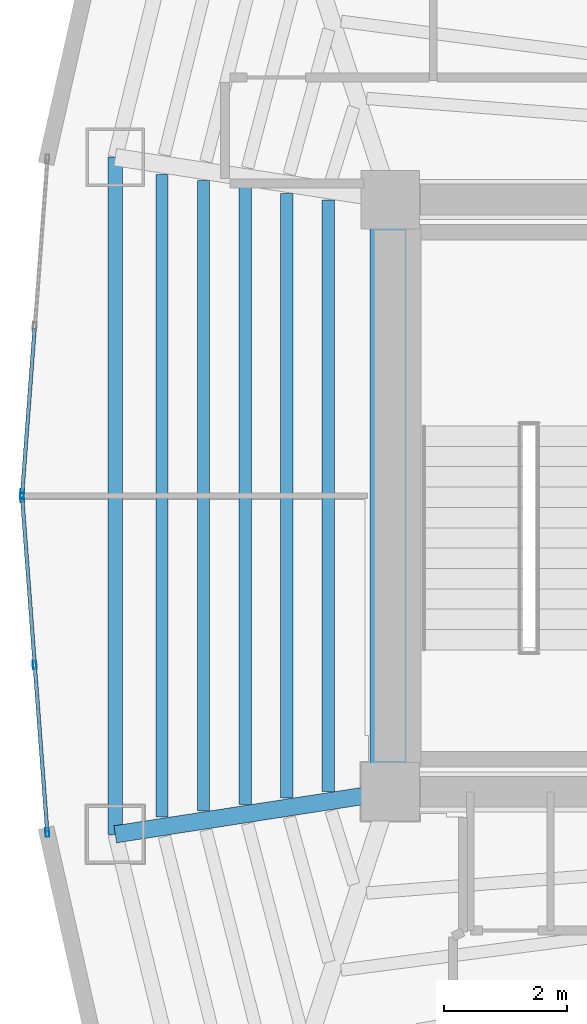
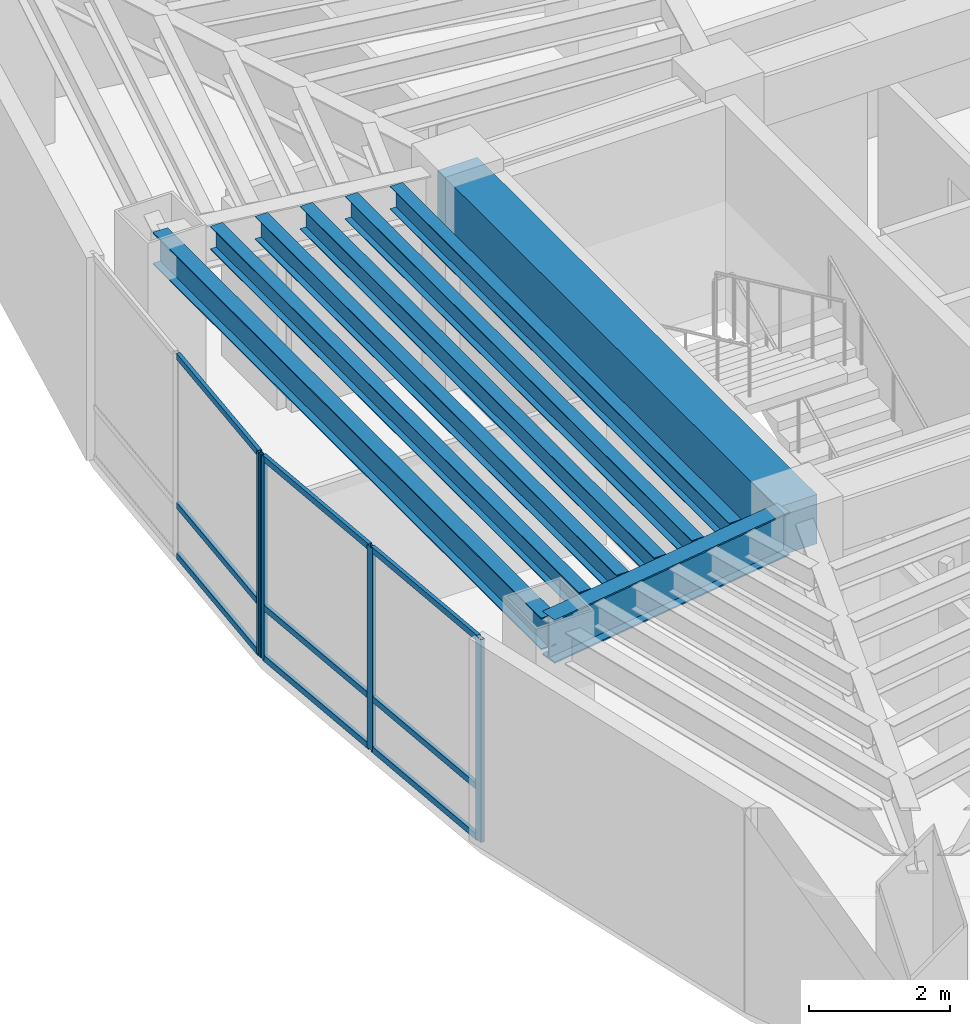
# One storey, part 3 of 15: 13 members, 8 beams, 2 elements without a shape of their own.
"""IFC4 building model written with IfcOpenShell, lengths in metres."""

import ifcopenshell
import ifcopenshell.guid

model = None  # the IFC model being written
_history = None  # IfcOwnerHistory: only IFC2X3 demands one
_inside = {}  # id of a spatial element -> (the spatial element, [elements in it])
_under = {}  # id of a project, library or spatial element -> (it, [spatial elements below it])
_declared = {}  # id of a project -> (the project, [libraries it declares])
_typed = {}  # id of a type object -> (the type object, [elements of that type])
_made_of = {}  # id of a material, layer set ... -> (it, [elements and type objects made of it])


def new_model(schema):
    """Start an empty IFC model of exactly this schema.

    Asked for "IFC4X3", IfcOpenShell would pick the latest addendum, in which some entities
    have other attributes; the version numbers below select the first issue.
    IFC2X3 requires an IfcOwnerHistory on every rooted entity: one is made here for all.
    """
    global model, _history
    if schema == "IFC4X3":
        model = ifcopenshell.file(schema_version=(4, 3, 0, 0))
    else:
        model = ifcopenshell.file(schema=schema)
    _inside.clear()
    _under.clear()
    _declared.clear()
    _typed.clear()
    _made_of.clear()
    _history = None
    if model.schema == "IFC2X3":
        org = make("IfcOrganization", Name="unknown")
        user = make(
            "IfcPersonAndOrganization",
            ThePerson=make("IfcPerson", FamilyName="unknown"),
            TheOrganization=org,
        )
        app = make(
            "IfcApplication",
            ApplicationDeveloper=org,
            Version="unknown",
            ApplicationFullName="unknown",
            ApplicationIdentifier="unknown",
        )
        _history = make(
            "IfcOwnerHistory",
            OwningUser=user,
            OwningApplication=app,
            ChangeAction="ADDED",
            CreationDate=0,
        )
    return model


def make(cls, **values):
    """One entity of the class cls with the attributes given. An attribute that is None is left unset."""
    return model.create_entity(
        cls, **{name: value for name, value in values.items() if value is not None}
    )


def rooted(cls, **values):
    """An entity with a GlobalId (a new one), such as an element, a storey or a relation."""
    return make(cls, GlobalId=ifcopenshell.guid.new(), OwnerHistory=_history, **values)


def si_unit(unit_type, name, prefix=None):
    """IfcSIUnit, for example si_unit("LENGTHUNIT", "METRE", prefix="MILLI")."""
    return make("IfcSIUnit", UnitType=unit_type, Prefix=prefix, Name=name)


def assignment(units):
    """IfcUnitAssignment: the units of a project."""
    return None if units is None else make("IfcUnitAssignment", Units=units)


def point(xyz):
    """IfcCartesianPoint."""
    return None if xyz is None else make("IfcCartesianPoint", Coordinates=xyz)


def direction(xyz):
    """IfcDirection."""
    return None if xyz is None else make("IfcDirection", DirectionRatios=xyz)


def frame(location, z_axis=None, x_axis=None):
    """IfcAxis2Placement3D, a coordinate frame: its origin and axes. An axis left out is left unset."""
    return make(
        "IfcAxis2Placement3D",
        Location=point(location),
        Axis=direction(z_axis),
        RefDirection=direction(x_axis),
    )


def frame_2d(location, x_axis=None):
    """IfcAxis2Placement2D, a coordinate frame in the plane: its origin and x axis."""
    return make(
        "IfcAxis2Placement2D", Location=point(location), RefDirection=direction(x_axis)
    )


def origin():
    """The frame at (0, 0, 0) with its axes left unset."""
    return frame((0.0, 0.0, 0.0))


def origin_2d():
    """The frame at (0, 0) in the plane with its x axis left unset."""
    return frame_2d((0.0, 0.0))


def place(relative_to, where):
    """IfcLocalPlacement: puts the frame where relative to a parent placement (None: the world)."""
    return make(
        "IfcLocalPlacement", PlacementRelTo=relative_to, RelativePlacement=where
    )


def context(
    kind, dimensions, precision=None, world=None, true_north=None, identifier=None
):
    """IfcGeometricRepresentationContext, for example the 3D "Model" context."""
    return make(
        "IfcGeometricRepresentationContext",
        ContextIdentifier=identifier,
        ContextType=kind,
        CoordinateSpaceDimension=dimensions,
        Precision=precision,
        WorldCoordinateSystem=world,
        TrueNorth=true_north,
    )


def subcontext(parent, identifier, kind, view, scale=None):
    """IfcGeometricRepresentationSubContext, for example "Body" below "Model"."""
    return make(
        "IfcGeometricRepresentationSubContext",
        ContextIdentifier=identifier,
        ContextType=kind,
        ParentContext=parent,
        TargetScale=scale,
        TargetView=view,
    )


def project(units=None, contexts=None):
    """IfcProject with its units and contexts."""
    return rooted(
        "IfcProject",
        Name="project",
        RepresentationContexts=contexts,
        UnitsInContext=assignment(units),
    )


def spatial(cls, under=None, at=None, **own):
    """A site, building, storey or space (cls), placed at a placement, below another one or the project."""
    s = rooted(cls, ObjectPlacement=at, **own)
    if under is not None:
        _under.setdefault(under.id(), (under, []))[1].append(s)
    return s


def profile(cls, at=None, kind="AREA", **sizes):
    """A parametric profile (cls). Its sizes go by their IFC names, for example OverallWidth=200.0."""
    return make(cls, ProfileType=kind, Position=at, **sizes)


def rectangle(**sizes):
    """IfcRectangleProfileDef."""
    return profile("IfcRectangleProfileDef", **sizes)


def hollow_rectangle(**sizes):
    """IfcRectangleHollowProfileDef."""
    return profile("IfcRectangleHollowProfileDef", **sizes)


def i_section(**sizes):
    """IfcIShapeProfileDef."""
    return profile("IfcIShapeProfileDef", **sizes)


def extrude(swept, where, along, depth):
    """IfcExtrudedAreaSolid: the profile swept, set in the frame where, extruded along a direction by depth."""
    return make(
        "IfcExtrudedAreaSolid",
        SweptArea=swept,
        Position=where,
        ExtrudedDirection=direction(along),
        Depth=depth,
    )


def shape(context_of_items, identifier, shape_type, items):
    """IfcShapeRepresentation: the items that make up one representation, for example the "Body"."""
    return make(
        "IfcShapeRepresentation",
        ContextOfItems=context_of_items,
        RepresentationIdentifier=identifier,
        RepresentationType=shape_type,
        Items=items,
    )


def material(Name=None, Category=None):
    """IfcMaterial."""
    return make("IfcMaterial", Name=Name, Category=Category)


def layer(
    of_material, thickness, ventilated=None, Name=None, Category=None, Priority=None
):
    """IfcMaterialLayer: one layer of a wall or slab, of a material (None: an air gap)."""
    return make(
        "IfcMaterialLayer",
        Material=of_material,
        LayerThickness=thickness,
        IsVentilated=ventilated,
        Name=Name,
        Category=Category,
        Priority=Priority,
    )


def layer_set(layers, Name=None):
    """IfcMaterialLayerSet."""
    return make("IfcMaterialLayerSet", MaterialLayers=layers, LayerSetName=Name)


def material_profile(
    of_material, cross_section, Name=None, Category=None, Priority=None
):
    """IfcMaterialProfile: a cross section and its material."""
    return make(
        "IfcMaterialProfile",
        Name=Name,
        Material=of_material,
        Profile=cross_section,
        Priority=Priority,
        Category=Category,
    )


def profile_set(profiles, Name=None, composite=None):
    """IfcMaterialProfileSet."""
    return make(
        "IfcMaterialProfileSet",
        Name=Name,
        MaterialProfiles=profiles,
        CompositeProfile=composite,
    )


def made_of(thing, what):
    """Note that an element or type object is made of a material, layer set ...; save() writes the relation."""
    if what is not None:
        _made_of.setdefault(what.id(), (what, []))[1].append(thing)
    return thing


def type_object(cls, material=None, **own):
    """A type object (cls), such as IfcWallType, which elements share."""
    return made_of(rooted(cls, **own), material)


def element(
    cls,
    number,
    at=None,
    inside=None,
    cuts=None,
    type_object=None,
    material=None,
    context=None,
    identifier="Body",
    shape_type=None,
    held_by="IfcProductDefinitionShape",
    body=None,
    shapes=None,
    **own,
):
    """One element of the class cls, such as IfcWall. Its Tag is "e" and its number.

    at: its placement. inside: the storey or other place that contains it. cuts: it is an
    opening in that element (IfcRelVoidsElement). A single representation is given by context,
    identifier, shape_type and body (its items); several are given by shapes. held_by: the class
    of the entity that holds the representations. save() writes the other relations.
    """
    e = rooted(cls, Tag="e%d" % number, ObjectPlacement=at, **own)
    if body is not None:
        shapes = [shape(context, identifier, shape_type, body)]
    if shapes is not None:
        e.Representation = make(held_by, Representations=shapes)
    if inside is not None:
        _inside.setdefault(inside.id(), (inside, []))[1].append(e)
    if cuts is not None:
        rooted(
            "IfcRelVoidsElement", RelatingBuildingElement=cuts, RelatedOpeningElement=e
        )
    if type_object is not None:
        _typed.setdefault(type_object.id(), (type_object, []))[1].append(e)
    return made_of(e, material)


def aggregate(whole, parts):
    """IfcRelAggregates: a whole, such as a stair, and the parts it consists of."""
    return rooted("IfcRelAggregates", RelatingObject=whole, RelatedObjects=parts)


def save(model, path):
    """Write the relations noted so far, then the file.

    IfcRelAggregates (storeys below a building ...), IfcRelContainedInSpatialStructure (elements
    in a storey), IfcRelDefinesByType, IfcRelAssociatesMaterial and IfcRelDeclares: one each for
    every whole, place, type object, material and project.
    """
    for whole, parts in _under.values():
        aggregate(whole, parts)
    for where, things in _inside.values():
        rooted(
            "IfcRelContainedInSpatialStructure",
            RelatedElements=things,
            RelatingStructure=where,
        )
    for kind, things in _typed.values():
        rooted("IfcRelDefinesByType", RelatedObjects=things, RelatingType=kind)
    for what, things in _made_of.values():
        rooted("IfcRelAssociatesMaterial", RelatedObjects=things, RelatingMaterial=what)
    for by, libraries in _declared.values():
        rooted("IfcRelDeclares", RelatingContext=by, RelatedDefinitions=libraries)
    model.write(path)


model = new_model("IFC4")

# Units and contexts
model_context = context("Model", 3, precision=1e-05, world=origin(), true_north=direction((0.0, 1.0)))
body_context = subcontext(model_context, "Body", "Model", "MODEL_VIEW")
ifc_project = project(units=[si_unit("LENGTHUNIT", "METRE"), si_unit("AREAUNIT", "SQUARE_METRE"), si_unit("VOLUMEUNIT", "CUBIC_METRE"), si_unit("PLANEANGLEUNIT", "RADIAN"), si_unit("MASSUNIT", "GRAM", prefix="KILO")], contexts=[model_context])

# Site, building, storey
site_placement = place(None, origin())
site = spatial("IfcSite", under=ifc_project, at=site_placement, CompositionType="ELEMENT")
building_placement = place(site_placement, origin())
building = spatial("IfcBuilding", under=site, at=building_placement, Name="Menara Vayukalpa", CompositionType="ELEMENT")
storey_placement = place(building_placement, frame((0.0, 0.0, 187.800048828125)))
storey = spatial("IfcBuildingStorey", under=building, at=storey_placement, Name="L47", CompositionType="ELEMENT", Elevation=187.800048828125)

# Beams
ifc_material_1 = material(Name="Concrete C60/75", Category="concrete")
ifc_material_profile_1 = material_profile(ifc_material_1, rectangle(XDim=0.64990234375, YDim=0.85009765625, at=origin_2d()), Name="RC 650x850")
ifc_profile_set_1 = profile_set([ifc_material_profile_1], Name="Concrete C60/75")
beam_type_1 = type_object("IfcBeamType", Name="BM-CB1", PredefinedType="BEAM", material=ifc_profile_set_1)
beam_1_placement = place(storey_placement, frame((17.800048828125, 17.199951171875, 3.074951171875), z_axis=(0.0, 1.0, 0.0), x_axis=(-1.0, 0.0, 0.0)))
element("IfcBeam", 1, at=beam_1_placement, inside=storey, type_object=beam_type_1, Name="L47 Core Tie Beam CBR7", PredefinedType="BEAM", context=body_context, shape_type="SweptSolid", body=[
    extrude(rectangle(XDim=0.64990234375, YDim=0.85009765625, at=origin_2d()), origin(), (0.0, 0.0, 1.0), 9.60009765625),
])
ifc_material_2 = material(Name="Steel S355", Category="steel")
ifc_material_profile_2 = material_profile(ifc_material_2, i_section(OverallWidth=0.280029296875, OverallDepth=0.75, WebThickness=0.013916015625, FlangeThickness=0.02490234375, at=origin_2d()), Name="WF 750x280x14x25")
ifc_profile_set_2 = profile_set([ifc_material_profile_2], Name="Steel S355")
beam_type_2 = type_object("IfcBeamType", Name="BM-PG4", PredefinedType="BEAM", material=ifc_profile_set_2)
beam_2_placement = place(storey_placement, frame((17.552978515625, 17.161865234375, 3.125), z_axis=(-0.988244781219, -0.152879862617, 0.0), x_axis=(0.152879862617, -0.988244781219, 0.0)))
element("IfcBeam", 2, at=beam_2_placement, inside=storey, type_object=beam_type_2, Name="L47 Primary Radial Girder RG06", PredefinedType="BEAM", context=body_context, shape_type="SweptSolid", body=[
    extrude(i_section(OverallWidth=0.280029296875, OverallDepth=0.75, WebThickness=0.013916015625, FlangeThickness=0.02490234375, at=origin_2d()), origin(), (0.0, 0.0, 1.0), 4.259033203125),
])
ifc_material_3 = material(Name="Steel S355", Category="steel")
ifc_material_profile_3 = material_profile(ifc_material_3, i_section(OverallWidth=0.199951171875, OverallDepth=0.39990234375, WebThickness=0.008056640625, FlangeThickness=0.012939453125, at=origin_2d()), Name="WF 400x200x8x13")
ifc_profile_set_3 = profile_set([ifc_material_profile_3], Name="Steel S355")
beam_type_3 = type_object("IfcBeamType", Name="BM-SJ2", PredefinedType="JOIST", material=ifc_profile_set_3)
beam_3_placement = place(storey_placement, frame((16.79541015625, 26.79541015625, 3.300048828125), z_axis=(0.0, -1.0, 0.0), x_axis=(1.0, 0.0, 0.0)))
element("IfcBeam", 3, at=beam_3_placement, inside=storey, type_object=beam_type_3, Name="L47 Secondary Floor Joist SJ05-1", PredefinedType="JOIST", context=body_context, shape_type="SweptSolid", body=[
    extrude(i_section(OverallWidth=0.199951171875, OverallDepth=0.39990234375, WebThickness=0.008056640625, FlangeThickness=0.012939453125, at=origin_2d()), origin(), (0.0, 0.0, 1.0), 9.5908203125),
])
beam_4_placement = place(storey_placement, frame((16.121826171875, 26.8994140625, 3.300048828125), z_axis=(0.0, -1.0, 0.0), x_axis=(1.0, 0.0, 0.0)))
element("IfcBeam", 4, at=beam_4_placement, inside=storey, type_object=beam_type_3, Name="L47 Secondary Floor Joist SJ05-2", PredefinedType="JOIST", context=body_context, shape_type="SweptSolid", body=[
    extrude(i_section(OverallWidth=0.199951171875, OverallDepth=0.39990234375, WebThickness=0.008056640625, FlangeThickness=0.012939453125, at=origin_2d()), origin(), (0.0, 0.0, 1.0), 9.798828125),
])
beam_5_placement = place(storey_placement, frame((15.448486328125, 27.003662109375, 3.300048828125), z_axis=(0.0, -1.0, 0.0), x_axis=(1.0, 0.0, 0.0)))
element("IfcBeam", 5, at=beam_5_placement, inside=storey, type_object=beam_type_3, Name="L47 Secondary Floor Joist SJ05-3", PredefinedType="JOIST", context=body_context, shape_type="SweptSolid", body=[
    extrude(i_section(OverallWidth=0.199951171875, OverallDepth=0.39990234375, WebThickness=0.008056640625, FlangeThickness=0.012939453125, at=origin_2d()), origin(), (0.0, 0.0, 1.0), 10.00732421875),
])
beam_6_placement = place(storey_placement, frame((14.77490234375, 27.10791015625, 3.300048828125), z_axis=(0.0, -1.0, 0.0), x_axis=(1.0, 0.0, 0.0)))
element("IfcBeam", 6, at=beam_6_placement, inside=storey, type_object=beam_type_3, Name="L47 Secondary Floor Joist SJ05-4", PredefinedType="JOIST", context=body_context, shape_type="SweptSolid", body=[
    extrude(i_section(OverallWidth=0.199951171875, OverallDepth=0.39990234375, WebThickness=0.008056640625, FlangeThickness=0.012939453125, at=origin_2d()), origin(), (0.0, 0.0, 1.0), 10.2158203125),
])
beam_7_placement = place(storey_placement, frame((14.1015625, 27.2119140625, 3.300048828125), z_axis=(0.0, -1.0, 0.0), x_axis=(1.0, 0.0, 0.0)))
element("IfcBeam", 7, at=beam_7_placement, inside=storey, type_object=beam_type_3, Name="L47 Secondary Floor Joist SJ05-5", PredefinedType="JOIST", context=body_context, shape_type="SweptSolid", body=[
    extrude(i_section(OverallWidth=0.199951171875, OverallDepth=0.39990234375, WebThickness=0.008056640625, FlangeThickness=0.012939453125, at=origin_2d()), origin(), (0.0, 0.0, 1.0), 10.423828125),
])
ifc_material_4 = material(Name="Steel S355", Category="steel")
ifc_material_profile_4 = material_profile(ifc_material_4, i_section(OverallWidth=0.239990234375, OverallDepth=0.550048828125, WebThickness=0.010986328125, FlangeThickness=0.01904296875, at=origin_2d()), Name="WF 550x240x11x19")
ifc_profile_set_4 = profile_set([ifc_material_profile_4], Name="Steel S355")
beam_type_4 = type_object("IfcBeamType", Name="BM-SP2", PredefinedType="SPANDREL", material=ifc_profile_set_4)
beam_8_placement = place(storey_placement, frame((13.343994140625, 27.4892578125, 3.224853515625), z_axis=(0.0, -1.0, 0.0), x_axis=(1.0, 0.0, 0.0)))
element("IfcBeam", 8, at=beam_8_placement, inside=storey, type_object=beam_type_4, Name="L47 Perimeter Spandrel Beam SP05", PredefinedType="SPANDREL", context=body_context, shape_type="SweptSolid", body=[
    extrude(i_section(OverallWidth=0.239990234375, OverallDepth=0.550048828125, WebThickness=0.010986328125, FlangeThickness=0.01904296875, at=origin_2d()), origin(), (0.0, 0.0, 1.0), 10.978515625),
])

# Curtain wall, member
ifc_material_5 = material(Name="Anodised Terracotta Aluminium Alloy 6063-T6", Category="masonry")
ifc_layer = layer(ifc_material_5, 0.139892578125)
ifc_layer_set = layer_set([ifc_layer], Name="Anodised Terracotta Aluminium Alloy 6063-T6")
curtain_wall_type = type_object("IfcCurtainWallType", Name="CW-CW5", PredefinedType="USERDEFINED", material=ifc_layer_set)
curtain_wall_1_placement = place(storey_placement, origin())
curtain_wall_1 = element("IfcCurtainWall", 9, at=curtain_wall_1_placement, inside=storey, type_object=curtain_wall_type, Name="L47 High Rise Tapered Curtain Wall CW5 10", ObjectType="UNITISED", PredefinedType="USERDEFINED")
ifc_material_6 = material(Name="Anodised Terracotta Aluminium Alloy 6063-T6", Category="masonry")
ifc_material_profile_5 = material_profile(ifc_material_6, hollow_rectangle(XDim=0.06005859375, YDim=0.139892578125, WallThickness=0.00341796875, at=origin_2d()), Name="ALU 60x140x3.5")
ifc_profile_set_5 = profile_set([ifc_material_profile_5], Name="Anodised Terracotta Aluminium Alloy 6063-T6")
member_type_1 = type_object("IfcMemberType", Name="CWM-CW5", PredefinedType="MULLION", material=ifc_profile_set_5)
member_1_placement = place(storey_placement, frame((11.83447265625, 22.030029296875, 0.0), z_axis=(0.0, 0.0, 1.0), x_axis=(0.9971991744, -0.074791754736, 0.0)))
member_1 = element("IfcMember", 10, at=member_1_placement, type_object=member_type_1, Name="CW5 mullion 3", PredefinedType="MULLION", context=body_context, shape_type="SweptSolid", body=[
    extrude(hollow_rectangle(XDim=0.06005859375, YDim=0.139892578125, WallThickness=0.00341796875, at=origin_2d()), origin(), (0.0, 0.0, 1.0), 3.5),
])

# Curtain wall, members
curtain_wall_2_placement = place(storey_placement, origin())
curtain_wall_2 = element("IfcCurtainWall", 11, at=curtain_wall_2_placement, inside=storey, type_object=curtain_wall_type, Name="L47 High Rise Tapered Curtain Wall CW5 11", ObjectType="UNITISED", PredefinedType="USERDEFINED")
member_2_placement = place(storey_placement, frame((11.83447265625, 21.969970703125, 0.0), z_axis=(0.0, 0.0, 1.0), x_axis=(0.9971991744, 0.074791754736, 0.0)))
member_2 = element("IfcMember", 12, at=member_2_placement, type_object=member_type_1, Name="CW5 mullion 1", PredefinedType="MULLION", context=body_context, shape_type="SweptSolid", body=[
    extrude(hollow_rectangle(XDim=0.06005859375, YDim=0.139892578125, WallThickness=0.00341796875, at=origin_2d()), origin(), (0.0, 0.0, 1.0), 3.5),
])
member_3_placement = place(storey_placement, frame((12.0380859375, 19.25537109375, 0.0), z_axis=(0.0, 0.0, 1.0), x_axis=(0.9971991744, 0.074791754736, 0.0)))
member_3 = element("IfcMember", 13, at=member_3_placement, type_object=member_type_1, Name="CW5 mullion 2", PredefinedType="MULLION", context=body_context, shape_type="SweptSolid", body=[
    extrude(hollow_rectangle(XDim=0.06005859375, YDim=0.139892578125, WallThickness=0.00341796875, at=origin_2d()), origin(), (0.0, 0.0, 1.0), 3.5),
])
member_4_placement = place(storey_placement, frame((12.24169921875, 16.540771484375, 0.0), z_axis=(0.0, 0.0, 1.0), x_axis=(0.9971991744, 0.074791754736, 0.0)))
member_4 = element("IfcMember", 14, at=member_4_placement, type_object=member_type_1, Name="CW5 mullion 3", PredefinedType="MULLION", context=body_context, shape_type="SweptSolid", body=[
    extrude(hollow_rectangle(XDim=0.06005859375, YDim=0.139892578125, WallThickness=0.00341796875, at=origin_2d()), origin(), (0.0, 0.0, 1.0), 3.5),
])

# Member
ifc_material_7 = material(Name="Anodised Terracotta Aluminium Alloy 6063-T6", Category="masonry")
ifc_material_profile_6 = material_profile(ifc_material_7, hollow_rectangle(XDim=0.06005859375, YDim=0.10498046875, WallThickness=0.0029296875, at=origin_2d()), Name="ALU 60x105x3")
ifc_profile_set_6 = profile_set([ifc_material_profile_6], Name="Anodised Terracotta Aluminium Alloy 6063-T6")
member_type_2 = type_object("IfcMemberType", Name="CWT-CW5", PredefinedType="USERDEFINED", material=ifc_profile_set_6)
member_5_placement = place(storey_placement, frame((12.035888671875, 24.714599609375, 0.030029296875), z_axis=(-0.074830984436, -0.997196231325, 0.0), x_axis=(0.997196231325, -0.074830984436, 0.0)))
member_5 = element("IfcMember", 15, at=member_5_placement, type_object=member_type_2, Name="CW5 transom 2.1", ObjectType="TRANSOM", PredefinedType="USERDEFINED", context=body_context, shape_type="SweptSolid", body=[
    extrude(hollow_rectangle(XDim=0.06005859375, YDim=0.10498046875, WallThickness=0.0029296875, at=origin_2d()), origin(), (0.0, 0.0, 1.0), 2.662353515625),
])

member_6_placement = place(storey_placement, frame((12.035888671875, 24.714599609375, 0.89990234375), z_axis=(-0.074830984436, -0.997196231325, 0.0), x_axis=(0.997196231325, -0.074830984436, 0.0)))
member_6 = element("IfcMember", 16, at=member_6_placement, type_object=member_type_2, Name="CW5 transom 2.2", ObjectType="TRANSOM", PredefinedType="USERDEFINED", context=body_context, shape_type="SweptSolid", body=[
    extrude(hollow_rectangle(XDim=0.06005859375, YDim=0.10498046875, WallThickness=0.0029296875, at=origin_2d()), origin(), (0.0, 0.0, 1.0), 2.662353515625),
])

member_7_placement = place(storey_placement, frame((12.035888671875, 24.714599609375, 3.469970703125), z_axis=(-0.074830984436, -0.997196231325, 0.0), x_axis=(0.997196231325, -0.074830984436, 0.0)))
member_7 = element("IfcMember", 17, at=member_7_placement, type_object=member_type_2, Name="CW5 transom 2.3", ObjectType="TRANSOM", PredefinedType="USERDEFINED", context=body_context, shape_type="SweptSolid", body=[
    extrude(hollow_rectangle(XDim=0.06005859375, YDim=0.10498046875, WallThickness=0.0029296875, at=origin_2d()), origin(), (0.0, 0.0, 1.0), 2.662353515625),
])

aggregate(curtain_wall_1, [member_1, member_5, member_6, member_7])

member_8_placement = place(storey_placement, frame((11.836669921875, 21.940185546875, 0.030029296875), z_axis=(0.074830984436, -0.997196231325, 0.0), x_axis=(0.997196231325, 0.074830984436, 0.0)))
member_8 = element("IfcMember", 18, at=member_8_placement, type_object=member_type_2, Name="CW5 transom 1.1", ObjectType="TRANSOM", PredefinedType="USERDEFINED", context=body_context, shape_type="SweptSolid", body=[
    extrude(hollow_rectangle(XDim=0.06005859375, YDim=0.10498046875, WallThickness=0.0029296875, at=origin_2d()), origin(), (0.0, 0.0, 1.0), 2.662353515625),
])

member_9_placement = place(storey_placement, frame((11.836669921875, 21.940185546875, 0.89990234375), z_axis=(0.074830984436, -0.997196231325, 0.0), x_axis=(0.997196231325, 0.074830984436, 0.0)))
member_9 = element("IfcMember", 19, at=member_9_placement, type_object=member_type_2, Name="CW5 transom 1.2", ObjectType="TRANSOM", PredefinedType="USERDEFINED", context=body_context, shape_type="SweptSolid", body=[
    extrude(hollow_rectangle(XDim=0.06005859375, YDim=0.10498046875, WallThickness=0.0029296875, at=origin_2d()), origin(), (0.0, 0.0, 1.0), 2.662353515625),
])

member_10_placement = place(storey_placement, frame((11.836669921875, 21.940185546875, 3.469970703125), z_axis=(0.074830984436, -0.997196231325, 0.0), x_axis=(0.997196231325, 0.074830984436, 0.0)))
member_10 = element("IfcMember", 20, at=member_10_placement, type_object=member_type_2, Name="CW5 transom 1.3", ObjectType="TRANSOM", PredefinedType="USERDEFINED", context=body_context, shape_type="SweptSolid", body=[
    extrude(hollow_rectangle(XDim=0.06005859375, YDim=0.10498046875, WallThickness=0.0029296875, at=origin_2d()), origin(), (0.0, 0.0, 1.0), 2.662353515625),
])

member_11_placement = place(storey_placement, frame((12.040283203125, 19.2255859375, 0.030029296875), z_axis=(0.074824141952, -0.997196744771, 0.0), x_axis=(0.997196744771, 0.074824141952, 0.0)))
member_11 = element("IfcMember", 21, at=member_11_placement, type_object=member_type_2, Name="CW5 transom 2.1", ObjectType="TRANSOM", PredefinedType="USERDEFINED", context=body_context, shape_type="SweptSolid", body=[
    extrude(hollow_rectangle(XDim=0.06005859375, YDim=0.10498046875, WallThickness=0.0029296875, at=origin_2d()), origin(), (0.0, 0.0, 1.0), 2.66259765625),
])

member_12_placement = place(storey_placement, frame((12.040283203125, 19.2255859375, 0.89990234375), z_axis=(0.074824141952, -0.997196744771, 0.0), x_axis=(0.997196744771, 0.074824141952, 0.0)))
member_12 = element("IfcMember", 22, at=member_12_placement, type_object=member_type_2, Name="CW5 transom 2.2", ObjectType="TRANSOM", PredefinedType="USERDEFINED", context=body_context, shape_type="SweptSolid", body=[
    extrude(hollow_rectangle(XDim=0.06005859375, YDim=0.10498046875, WallThickness=0.0029296875, at=origin_2d()), origin(), (0.0, 0.0, 1.0), 2.66259765625),
])

member_13_placement = place(storey_placement, frame((12.040283203125, 19.2255859375, 3.469970703125), z_axis=(0.074824141952, -0.997196744771, 0.0), x_axis=(0.997196744771, 0.074824141952, 0.0)))
member_13 = element("IfcMember", 23, at=member_13_placement, type_object=member_type_2, Name="CW5 transom 2.3", ObjectType="TRANSOM", PredefinedType="USERDEFINED", context=body_context, shape_type="SweptSolid", body=[
    extrude(hollow_rectangle(XDim=0.06005859375, YDim=0.10498046875, WallThickness=0.0029296875, at=origin_2d()), origin(), (0.0, 0.0, 1.0), 2.66259765625),
])

aggregate(curtain_wall_2, [member_2, member_3, member_4, member_8, member_9, member_10, member_11, member_12, member_13])

save(model, "model.ifc")
